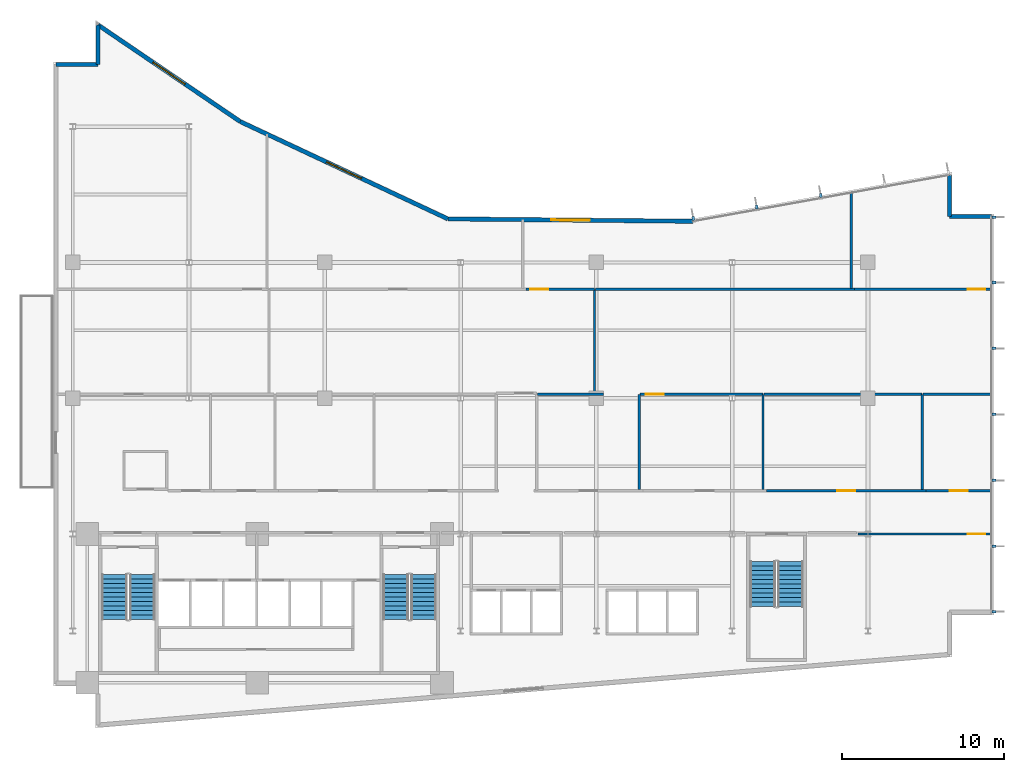
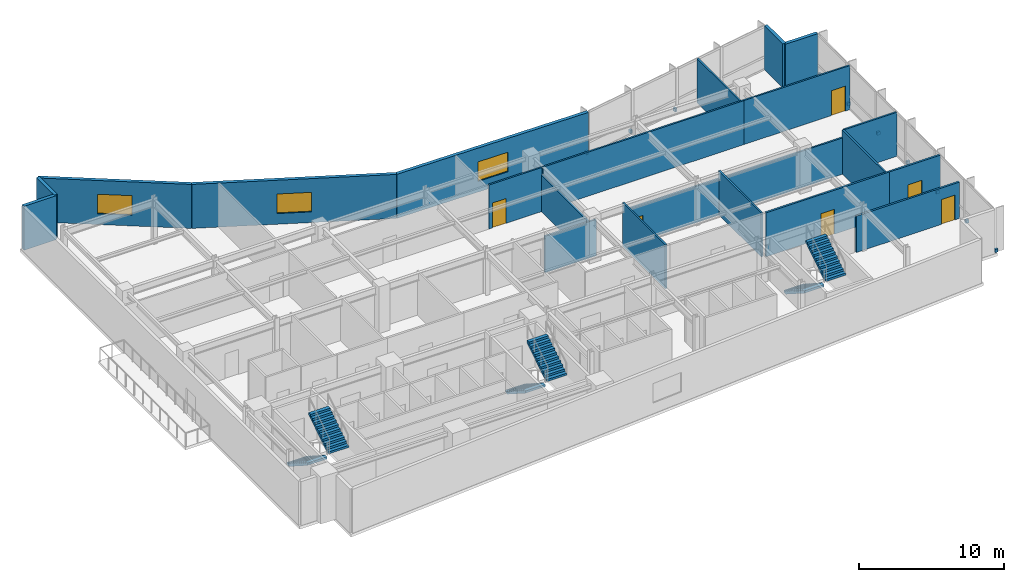
# One storey, part 15 of 20: 22 walls, 10 discrete accessories, 6 doors, 6 stair flights, 3 windows, 9 openings, 3 elements without a shape of their own.
"""IFC4 building model written with IfcOpenShell, lengths in metres."""

from ifc_helpers import new_model, si_unit, direction, frame, frame_2d, origin, origin_2d, place, context, subcontext, project, spatial, polyline, rectangle, outline, extrude, material, layer, layer_set, type_object, element, fill, aggregate, save


model = new_model("IFC4")

# Units and contexts
model_context = context("Model", 3, precision=1e-05, world=origin(), true_north=direction((0.0, 1.0)))
body_context = subcontext(model_context, "Body", "Model", "MODEL_VIEW")
ifc_project = project(units=[si_unit("LENGTHUNIT", "METRE"), si_unit("AREAUNIT", "SQUARE_METRE"), si_unit("VOLUMEUNIT", "CUBIC_METRE"), si_unit("PLANEANGLEUNIT", "RADIAN"), si_unit("MASSUNIT", "GRAM", prefix="KILO")], contexts=[model_context])

# Site, building, storey
site_placement = place(None, origin())
site = spatial("IfcSite", under=ifc_project, at=site_placement, CompositionType="ELEMENT")
building_placement = place(site_placement, origin())
building = spatial("IfcBuilding", under=site, at=building_placement, Name="Varnakote Quay Hospital", CompositionType="ELEMENT")
storey_placement = place(building_placement, frame((0.0, 0.0, 46.199951171875)))
storey = spatial("IfcBuildingStorey", under=building, at=storey_placement, Name="L11", CompositionType="ELEMENT", Elevation=46.199951171875)

# Walls
ifc_material_1 = material(Name="Precast concrete N50 (f'c 50 MPa)", Category="concrete")
ifc_layer_1 = layer(ifc_material_1, 0.260009765625)
ifc_layer_set_1 = layer_set([ifc_layer_1], Name="Precast concrete N50 (f'c 50 MPa)")
wall_type_1 = type_object("IfcWallType", Name="WL-EXT-BRICK-260", PredefinedType="STANDARD", material=ifc_layer_set_1)
wall_1_placement = place(storey_placement, frame((58.0400390625, 31.639892578125, 0.0), z_axis=(0.0, 0.0, 1.0), x_axis=(-1.0, 0.0, 0.0)))
element("IfcWall", 1, at=wall_1_placement, inside=storey, type_object=wall_type_1, Name="L11 Brick-Faced Precast Exterior Wall", PredefinedType="STANDARD", context=body_context, shape_type="SweptSolid", body=[
    extrude(rectangle(XDim=2.60009765625, YDim=0.260009765625, at=frame_2d((1.300048828125, 0.0))), origin(), (0.0, 0.0, 1.0), 3.7099609375),
])
wall_2_placement = place(storey_placement, frame((55.43994140625, 31.639892578125, 0.0), z_axis=(0.0, 0.0, 1.0), x_axis=(0.0, 1.0, 0.0)))
element("IfcWall", 2, at=wall_2_placement, inside=storey, type_object=wall_type_1, Name="L11 Brick-Faced Precast Exterior Wall", PredefinedType="STANDARD", context=body_context, shape_type="SweptSolid", body=[
    extrude(rectangle(XDim=2.568603515625, YDim=0.260009765625, at=frame_2d((1.2841796875, 0.0))), origin(), (0.0, 0.0, 1.0), 3.7099609375),
])

# Wall, opening, window
wall_3_placement = place(storey_placement, frame((39.589599609375, 31.343994140625, 0.0), z_axis=(0.0, 0.0, 1.0), x_axis=(-0.999952362926, 0.009760731435, 0.0)))
wall_3 = element("IfcWall", 3, at=wall_3_placement, inside=storey, type_object=wall_type_1, Name="L11 Brick-Faced Precast Exterior Wall", PredefinedType="STANDARD", context=body_context, shape_type="SweptSolid", body=[
    extrude(rectangle(XDim=15.1826171875, YDim=0.260009765625, at=frame_2d((7.59130859375, 0.0))), origin(), (0.0, 0.0, 1.0), 3.7099609375),
])
opening_1_placement = place(wall_3_placement, frame((6.391357421875, 0.0, 0.89990234375)))
opening_1 = element("IfcOpeningElement", 4, at=opening_1_placement, cuts=wall_3, Name="Opening WN-0059", PredefinedType="OPENING", context=body_context, shape_type="SweptSolid", body=[
    extrude(rectangle(XDim=2.39990234375, YDim=1.64990234375, at=frame_2d((1.199951171875, 0.824951171875))), frame((0.0, 0.139892578125, 0.0), z_axis=(0.0, -1.0, 0.0), x_axis=(1.0, 0.0, 0.0)), (0.0, 0.0, 1.0), 0.280029296875),
])
ifc_material_2 = material(Name="Double-glazed low-E solar glass", Category="glass")
window_type = type_object("IfcWindowType", Name="WIN-CLIN-2400x1650", PartitioningType="SINGLE_PANEL", PredefinedType="WINDOW", material=ifc_material_2)
window_1_placement = place(opening_1_placement, origin())
window_1 = element("IfcWindow", 5, at=window_1_placement, inside=storey, type_object=window_type, Name="L11 Solar-Control Clinical Window", OverallHeight=1.64990234375, OverallWidth=2.39990234375, PartitioningType="SINGLE_PANEL", PredefinedType="WINDOW", context=body_context, shape_type="SweptSolid", body=[
    extrude(rectangle(XDim=2.39990234375, YDim=1.64990234375, at=frame_2d((1.199951171875, 0.824951171875))), frame((0.0, 0.030029296875, 0.0), z_axis=(0.0, -1.0, 0.0), x_axis=(1.0, 0.0, 0.0)), (0.0, 0.0, 1.0), 0.06005859375),
])
fill(opening_1, window_1)

wall_4_placement = place(storey_placement, frame((24.40771484375, 31.4921875, 0.0), z_axis=(0.0, 0.0, 1.0), x_axis=(-0.905396522918, 0.424566998585, 0.0)))
wall_4 = element("IfcWall", 6, at=wall_4_placement, inside=storey, type_object=wall_type_1, Name="L11 Brick-Faced Precast Exterior Wall", PredefinedType="STANDARD", context=body_context, shape_type="SweptSolid", body=[
    extrude(rectangle(XDim=14.189453125, YDim=0.260009765625, at=frame_2d((7.0947265625, 0.0))), origin(), (0.0, 0.0, 1.0), 3.7099609375),
])
opening_2_placement = place(wall_4_placement, frame((5.894775390625, 0.0, 0.89990234375)))
opening_2 = element("IfcOpeningElement", 7, at=opening_2_placement, cuts=wall_4, Name="Opening WN-0060", PredefinedType="OPENING", context=body_context, shape_type="SweptSolid", body=[
    extrude(rectangle(XDim=2.39990234375, YDim=1.64990234375, at=frame_2d((1.199951171875, 0.824951171875))), frame((0.0, 0.139892578125, 0.0), z_axis=(0.0, -1.0, 0.0), x_axis=(1.0, 0.0, 0.0)), (0.0, 0.0, 1.0), 0.280029296875),
])
window_2_placement = place(opening_2_placement, origin())
window_2 = element("IfcWindow", 8, at=window_2_placement, inside=storey, type_object=window_type, Name="L11 Solar-Control Clinical Window", OverallHeight=1.64990234375, OverallWidth=2.39990234375, PartitioningType="SINGLE_PANEL", PredefinedType="WINDOW", context=body_context, shape_type="SweptSolid", body=[
    extrude(rectangle(XDim=2.39990234375, YDim=1.64990234375, at=frame_2d((1.199951171875, 0.824951171875))), frame((0.0, 0.030029296875, 0.0), z_axis=(0.0, -1.0, 0.0), x_axis=(1.0, 0.0, 0.0)), (0.0, 0.0, 1.0), 0.06005859375),
])
fill(opening_2, window_2)

wall_5_placement = place(storey_placement, frame((11.560546875, 37.5166015625, 0.0), z_axis=(0.0, 0.0, 1.0), x_axis=(-0.827064743936, 0.562106670782, 0.0)))
wall_5 = element("IfcWall", 9, at=wall_5_placement, inside=storey, type_object=wall_type_1, Name="L11 Brick-Faced Precast Exterior Wall", PredefinedType="STANDARD", context=body_context, shape_type="SweptSolid", body=[
    extrude(rectangle(XDim=10.640625, YDim=0.260009765625, at=frame_2d((5.3203125, 0.0))), origin(), (0.0, 0.0, 1.0), 3.7099609375),
])
opening_3_placement = place(wall_5_placement, frame((4.120361328125, 0.0, 0.89990234375)))
opening_3 = element("IfcOpeningElement", 10, at=opening_3_placement, cuts=wall_5, Name="Opening WN-0061", PredefinedType="OPENING", context=body_context, shape_type="SweptSolid", body=[
    extrude(rectangle(XDim=2.39990234375, YDim=1.64990234375, at=frame_2d((1.199951171875, 0.824951171875))), frame((0.0, 0.139892578125, 0.0), z_axis=(0.0, -1.0, 0.0), x_axis=(1.0, 0.0, 0.0)), (0.0, 0.0, 1.0), 0.280029296875),
])
window_3_placement = place(opening_3_placement, origin())
window_3 = element("IfcWindow", 11, at=window_3_placement, inside=storey, type_object=window_type, Name="L11 Solar-Control Clinical Window", OverallHeight=1.64990234375, OverallWidth=2.39990234375, PartitioningType="SINGLE_PANEL", PredefinedType="WINDOW", context=body_context, shape_type="SweptSolid", body=[
    extrude(rectangle(XDim=2.39990234375, YDim=1.64990234375, at=frame_2d((1.199951171875, 0.824951171875))), frame((0.0, 0.030029296875, 0.0), z_axis=(0.0, -1.0, 0.0), x_axis=(1.0, 0.0, 0.0)), (0.0, 0.0, 1.0), 0.06005859375),
])
fill(opening_3, window_3)

# Walls
wall_6_placement = place(storey_placement, frame((2.760009765625, 43.497802734375, 0.0), z_axis=(0.0, 0.0, 1.0), x_axis=(0.0, -1.0, 0.0)))
element("IfcWall", 12, at=wall_6_placement, inside=storey, type_object=wall_type_1, Name="L11 Brick-Faced Precast Exterior Wall", PredefinedType="STANDARD", context=body_context, shape_type="SweptSolid", body=[
    extrude(rectangle(XDim=2.457763671875, YDim=0.260009765625, at=frame_2d((1.22900390625, 0.0))), origin(), (0.0, 0.0, 1.0), 3.7099609375),
])
wall_7_placement = place(storey_placement, frame((2.760009765625, 41.0400390625, 0.0), z_axis=(0.0, 0.0, 1.0), x_axis=(-1.0, 0.0, 0.0)))
element("IfcWall", 13, at=wall_7_placement, inside=storey, type_object=wall_type_1, Name="L11 Brick-Faced Precast Exterior Wall", PredefinedType="STANDARD", context=body_context, shape_type="SweptSolid", body=[
    extrude(rectangle(XDim=2.60009765625, YDim=0.260009765625, at=frame_2d((1.300048828125, 0.0))), origin(), (0.0, 0.0, 1.0), 3.7099609375),
])
ifc_material_3 = material(Name="Smoke-proof clinical partition", Category="gypsum")
ifc_layer_2 = layer(ifc_material_3, 0.135009765625)
ifc_layer_set_2 = layer_set([ifc_layer_2], Name="Smoke-proof clinical partition")
wall_type_2 = type_object("IfcWallType", Name="WL-SMOKE-135", PredefinedType="PARTITIONING", material=ifc_layer_set_2)
wall_8_placement = place(storey_placement, frame((36.25, 14.760009765625, 0.0), z_axis=(0.0, 0.0, 1.0), x_axis=(0.0, 1.0, 0.0)))
element("IfcWall", 14, at=wall_8_placement, inside=storey, type_object=wall_type_2, Name="L11 Clinical Interior Partition", PredefinedType="PARTITIONING", context=body_context, shape_type="SweptSolid", body=[
    extrude(rectangle(XDim=5.8798828125, YDim=0.135009765625, at=frame_2d((2.93994140625, 0.0))), origin(), (0.0, 0.0, 1.0), 3.7099609375),
])
wall_9_placement = place(storey_placement, frame((34.050048828125, 20.639892578125, 0.0), z_axis=(0.0, 0.0, 1.0), x_axis=(-1.0, 0.0, 0.0)))
element("IfcWall", 15, at=wall_9_placement, inside=storey, type_object=wall_type_2, Name="L11 Clinical Interior Partition", PredefinedType="PARTITIONING", context=body_context, shape_type="SweptSolid", body=[
    extrude(rectangle(XDim=4.0849609375, YDim=0.135009765625, at=frame_2d((2.04248046875, 0.0))), origin(), (0.0, 0.0, 1.0), 3.072998046875),
])
wall_10_placement = place(storey_placement, frame((43.909912109375, 14.760009765625, 0.0), z_axis=(0.0, 0.0, 1.0), x_axis=(0.0, 1.0, 0.0)))
element("IfcWall", 16, at=wall_10_placement, inside=storey, type_object=wall_type_2, Name="L11 Clinical Interior Partition", PredefinedType="PARTITIONING", context=body_context, shape_type="SweptSolid", body=[
    extrude(rectangle(XDim=5.8798828125, YDim=0.135009765625, at=frame_2d((2.93994140625, 0.0))), origin(), (0.0, 0.0, 1.0), 3.7099609375),
])

# Wall, opening, door
wall_11_placement = place(storey_placement, frame((43.909912109375, 20.639892578125, 0.0), z_axis=(0.0, 0.0, 1.0), x_axis=(-1.0, 0.0, 0.0)))
wall_11 = element("IfcWall", 17, at=wall_11_placement, inside=storey, type_object=wall_type_2, Name="L11 Clinical Interior Partition", PredefinedType="PARTITIONING", context=body_context, shape_type="SweptSolid", body=[
    extrude(rectangle(XDim=7.602294921875, YDim=0.135009765625, at=frame_2d((3.80126953125, 0.0))), origin(), (0.0, 0.0, 1.0), 3.072998046875),
])
opening_4_placement = place(wall_11_placement, frame((6.14990234375, 0.0, 0.0)))
opening_4 = element("IfcOpeningElement", 18, at=opening_4_placement, cuts=wall_11, Name="Opening D-L11-MD10", PredefinedType="OPENING", context=body_context, shape_type="SweptSolid", body=[
    extrude(rectangle(XDim=1.10009765625, YDim=2.10009765625, at=frame_2d((0.550048828125, 1.050048828125))), frame((0.0, 0.077392578125, 0.0), z_axis=(0.0, -1.0, 0.0), x_axis=(1.0, 0.0, 0.0)), (0.0, 0.0, 1.0), 0.155029296875),
])
ifc_material_4 = material(Name="Acoustic timber clinical consult door", Category="wood")
door_type = type_object("IfcDoorType", Name="DR-CLIN-FD30S-1100x2100", OperationType="NOTDEFINED", PredefinedType="DOOR", material=ifc_material_4)
door_1_placement = place(opening_4_placement, origin())
door_1 = element("IfcDoor", 19, at=door_1_placement, inside=storey, type_object=door_type, Name="L11 Endoscopy Infusion Treatment Suite Door", OperationType="SINGLE_SWING_LEFT", OverallHeight=2.10009765625, OverallWidth=1.10009765625, PredefinedType="DOOR", context=body_context, shape_type="SweptSolid", body=[
    extrude(rectangle(XDim=1.10009765625, YDim=2.10009765625, at=frame_2d((0.550048828125, 1.050048828125))), frame((0.0, 0.02490234375, 0.0), z_axis=(0.0, -1.0, 0.0), x_axis=(1.0, 0.0, 0.0)), (0.0, 0.0, 1.0), 0.050048828125),
])
fill(opening_4, door_1)

# Walls
wall_12_placement = place(storey_placement, frame((53.760009765625, 14.760009765625, 0.0), z_axis=(0.0, 0.0, 1.0), x_axis=(0.0, 1.0, 0.0)))
element("IfcWall", 20, at=wall_12_placement, inside=storey, type_object=wall_type_2, Name="L11 Clinical Interior Partition", PredefinedType="PARTITIONING", context=body_context, shape_type="SweptSolid", body=[
    extrude(rectangle(XDim=5.8798828125, YDim=0.135009765625, at=frame_2d((2.93994140625, 0.0))), origin(), (0.0, 0.0, 1.0), 3.7099609375),
])
wall_13_placement = place(storey_placement, frame((53.760009765625, 20.639892578125, 0.0), z_axis=(0.0, 0.0, 1.0), x_axis=(-1.0, 0.0, 0.0)))
element("IfcWall", 21, at=wall_13_placement, inside=storey, type_object=wall_type_2, Name="L11 Clinical Interior Partition", PredefinedType="PARTITIONING", context=body_context, shape_type="SweptSolid", body=[
    extrude(rectangle(XDim=9.79248046875, YDim=0.135009765625, at=frame_2d((4.896240234375, 0.0))), origin(), (0.0, 0.0, 1.0), 3.072998046875),
])
wall_14_placement = place(storey_placement, frame((58.0400390625, 20.639892578125, 0.0), z_axis=(0.0, 0.0, 1.0), x_axis=(-1.0, 0.0, 0.0)))
element("IfcWall", 22, at=wall_14_placement, inside=storey, type_object=wall_type_2, Name="L11 Clinical Interior Partition", PredefinedType="PARTITIONING", context=body_context, shape_type="SweptSolid", body=[
    extrude(rectangle(XDim=4.22265625, YDim=0.135009765625, at=frame_2d((2.111328125, 0.0))), origin(), (0.0, 0.0, 1.0), 3.7099609375),
])
wall_15_placement = place(storey_placement, frame((33.489990234375, 20.697509765625, 0.0), z_axis=(0.0, 0.0, 1.0), x_axis=(0.0, 1.0, 0.0)))
element("IfcWall", 23, at=wall_15_placement, inside=storey, type_object=wall_type_2, Name="L11 Clinical Interior Partition", PredefinedType="PARTITIONING", context=body_context, shape_type="SweptSolid", body=[
    extrude(rectangle(XDim=6.4423828125, YDim=0.135009765625, at=frame_2d((3.22119140625, 0.0))), origin(), (0.0, 0.0, 1.0), 3.072998046875),
])

# Wall, opening, door
wall_16_placement = place(storey_placement, frame((33.489990234375, 27.139892578125, 0.0), z_axis=(0.0, 0.0, 1.0), x_axis=(-1.0, 0.0, 0.0)))
wall_16 = element("IfcWall", 24, at=wall_16_placement, inside=storey, type_object=wall_type_2, Name="L11 Clinical Interior Partition", PredefinedType="PARTITIONING", context=body_context, shape_type="SweptSolid", body=[
    extrude(rectangle(XDim=4.240478515625, YDim=0.135009765625, at=frame_2d((2.1201171875, 0.0))), origin(), (0.0, 0.0, 1.0), 3.7099609375),
])
opening_5_placement = place(wall_16_placement, frame((2.8720703125, 0.0, 0.0)))
opening_5 = element("IfcOpeningElement", 25, at=opening_5_placement, cuts=wall_16, Name="Opening D-L11-MD13", PredefinedType="OPENING", context=body_context, shape_type="SweptSolid", body=[
    extrude(rectangle(XDim=1.10009765625, YDim=2.10009765625, at=frame_2d((0.550048828125, 1.050048828125))), frame((0.0, 0.077392578125, 0.0), z_axis=(0.0, -1.0, 0.0), x_axis=(1.0, 0.0, 0.0)), (0.0, 0.0, 1.0), 0.155029296875),
])
door_2_placement = place(opening_5_placement, origin())
door_2 = element("IfcDoor", 26, at=door_2_placement, inside=storey, type_object=door_type, Name="L11 Day Procedure Treatment Suite Door", OperationType="SINGLE_SWING_RIGHT", OverallHeight=2.10009765625, OverallWidth=1.10009765625, PredefinedType="DOOR", context=body_context, shape_type="SweptSolid", body=[
    extrude(rectangle(XDim=1.10009765625, YDim=2.10009765625, at=frame_2d((0.550048828125, 1.050048828125))), frame((0.0, 0.02490234375, 0.0), z_axis=(0.0, -1.0, 0.0), x_axis=(1.0, 0.0, 0.0)), (0.0, 0.0, 1.0), 0.050048828125),
])
fill(opening_5, door_2)

# Wall
wall_17_placement = place(storey_placement, frame((49.577392578125, 27.139892578125, 0.0), z_axis=(0.0, 0.0, 1.0), x_axis=(-1.0, 0.0, 0.0)))
element("IfcWall", 27, at=wall_17_placement, inside=storey, type_object=wall_type_2, Name="L11 Clinical Interior Partition", PredefinedType="PARTITIONING", context=body_context, shape_type="SweptSolid", body=[
    extrude(rectangle(XDim=16.02978515625, YDim=0.135009765625, at=frame_2d((8.014892578125, 0.0))), origin(), (0.0, 0.0, 1.0), 3.7099609375),
])

# Wall, opening, door
wall_18_placement = place(storey_placement, frame((58.0400390625, 27.139892578125, 0.0), z_axis=(0.0, 0.0, 1.0), x_axis=(-1.0, 0.0, 0.0)))
wall_18 = element("IfcWall", 28, at=wall_18_placement, inside=storey, type_object=wall_type_2, Name="L11 Clinical Interior Partition", PredefinedType="PARTITIONING", context=body_context, shape_type="SweptSolid", body=[
    extrude(rectangle(XDim=8.46044921875, YDim=0.135009765625, at=frame_2d((4.230224609375, 0.0))), origin(), (0.0, 0.0, 1.0), 3.7099609375),
])
opening_6_placement = place(wall_18_placement, frame((0.3740234375, 0.0, 0.0)))
opening_6 = element("IfcOpeningElement", 29, at=opening_6_placement, cuts=wall_18, Name="Opening D-L11-MD14", PredefinedType="OPENING", context=body_context, shape_type="SweptSolid", body=[
    extrude(rectangle(XDim=1.10009765625, YDim=2.10009765625, at=frame_2d((0.550048828125, 1.050048828125))), frame((0.0, 0.077392578125, 0.0), z_axis=(0.0, -1.0, 0.0), x_axis=(1.0, 0.0, 0.0)), (0.0, 0.0, 1.0), 0.155029296875),
])
door_3_placement = place(opening_6_placement, origin())
door_3 = element("IfcDoor", 30, at=door_3_placement, inside=storey, type_object=door_type, Name="L11 Endoscopy Infusion Treatment Suite Door", OperationType="SINGLE_SWING_LEFT", OverallHeight=2.10009765625, OverallWidth=1.10009765625, PredefinedType="DOOR", context=body_context, shape_type="SweptSolid", body=[
    extrude(rectangle(XDim=1.10009765625, YDim=2.10009765625, at=frame_2d((0.550048828125, 1.050048828125))), frame((0.0, 0.02490234375, 0.0), z_axis=(0.0, -1.0, 0.0), x_axis=(1.0, 0.0, 0.0)), (0.0, 0.0, 1.0), 0.050048828125),
])
fill(opening_6, door_3)

# Wall
wall_19_placement = place(storey_placement, frame((49.3701171875, 27.197509765625, 0.0), z_axis=(0.0, 0.0, 1.0), x_axis=(0.0, 1.0, 0.0)))
element("IfcWall", 31, at=wall_19_placement, inside=storey, type_object=wall_type_2, Name="L11 Clinical Interior Partition", PredefinedType="PARTITIONING", context=body_context, shape_type="SweptSolid", body=[
    extrude(rectangle(XDim=5.9140625, YDim=0.135009765625, at=frame_2d((2.95703125, 0.0))), origin(), (0.0, 0.0, 1.0), 3.7099609375),
])

# Wall, opening, door
ifc_material_5 = material(Name="Fire-rated clinical gypsum partition", Category="gypsum")
ifc_layer_3 = layer(ifc_material_5, 0.14990234375)
ifc_layer_set_3 = layer_set([ifc_layer_3], Name="Fire-rated clinical gypsum partition")
wall_type_3 = type_object("IfcWallType", Name="WL-WARD-150", PredefinedType="PARTITIONING", material=ifc_layer_set_3)
wall_20_placement = place(storey_placement, frame((58.0400390625, 12.0, 0.0), z_axis=(0.0, 0.0, 1.0), x_axis=(-1.0, 0.0, 0.0)))
wall_20 = element("IfcWall", 32, at=wall_20_placement, inside=storey, type_object=wall_type_3, Name="L11 Clinical Interior Partition", PredefinedType="PARTITIONING", context=body_context, shape_type="SweptSolid", body=[
    extrude(rectangle(XDim=8.239990234375, YDim=0.14990234375, at=frame_2d((4.1201171875, 0.0))), origin(), (0.0, 0.0, 1.0), 3.072998046875),
])
opening_7_placement = place(wall_20_placement, frame((0.368408203125, 0.0, 0.0)))
opening_7 = element("IfcOpeningElement", 33, at=opening_7_placement, cuts=wall_20, Name="Opening D-L11-SE1", PredefinedType="OPENING", context=body_context, shape_type="SweptSolid", body=[
    extrude(rectangle(XDim=1.10009765625, YDim=2.10009765625, at=frame_2d((0.550048828125, 1.050048828125))), frame((0.0, 0.0849609375, 0.0), z_axis=(0.0, -1.0, 0.0), x_axis=(1.0, 0.0, 0.0)), (0.0, 0.0, 1.0), 0.169921875),
])
door_4_placement = place(opening_7_placement, origin())
door_4 = element("IfcDoor", 34, at=door_4_placement, inside=storey, type_object=door_type, Name="L11 Clinical Biomedical Engineering Office Door", OperationType="SINGLE_SWING_RIGHT", OverallHeight=2.10009765625, OverallWidth=1.10009765625, PredefinedType="DOOR", context=body_context, shape_type="SweptSolid", body=[
    extrude(rectangle(XDim=1.10009765625, YDim=2.10009765625, at=frame_2d((0.550048828125, 1.050048828125))), frame((0.0, 0.02490234375, 0.0), z_axis=(0.0, -1.0, 0.0), x_axis=(1.0, 0.0, 0.0)), (0.0, 0.0, 1.0), 0.050048828125),
])
fill(opening_7, door_4)

wall_21_placement = place(storey_placement, frame((53.986083984375, 14.679931640625, 0.0), z_axis=(0.0, 0.0, 1.0), x_axis=(-1.0, 0.0, 0.0)))
wall_21 = element("IfcWall", 35, at=wall_21_placement, inside=storey, type_object=wall_type_3, Name="L11 Clinical Interior Partition", PredefinedType="PARTITIONING", context=body_context, shape_type="SweptSolid", body=[
    extrude(rectangle(XDim=9.84814453125, YDim=0.14990234375, at=frame_2d((4.924072265625, 0.0))), origin(), (0.0, 0.0, 1.0), 3.7099609375),
])
opening_8_placement = place(wall_21_placement, frame((4.3740234375, 0.0, 0.0)))
opening_8 = element("IfcOpeningElement", 36, at=opening_8_placement, cuts=wall_21, Name="Opening D-L11-MD06", PredefinedType="OPENING", context=body_context, shape_type="SweptSolid", body=[
    extrude(rectangle(XDim=1.10009765625, YDim=2.10009765625, at=frame_2d((0.550048828125, 1.050048828125))), frame((0.0, 0.0849609375, 0.0), z_axis=(0.0, -1.0, 0.0), x_axis=(1.0, 0.0, 0.0)), (0.0, 0.0, 1.0), 0.169921875),
])
door_5_placement = place(opening_8_placement, origin())
door_5 = element("IfcDoor", 37, at=door_5_placement, inside=storey, type_object=door_type, Name="L11 Endoscopy Infusion Treatment Suite Door", OperationType="SINGLE_SWING_LEFT", OverallHeight=2.10009765625, OverallWidth=1.10009765625, PredefinedType="DOOR", context=body_context, shape_type="SweptSolid", body=[
    extrude(rectangle(XDim=1.10009765625, YDim=2.10009765625, at=frame_2d((0.550048828125, 1.050048828125))), frame((0.0, 0.02490234375, 0.0), z_axis=(0.0, -1.0, 0.0), x_axis=(1.0, 0.0, 0.0)), (0.0, 0.0, 1.0), 0.050048828125),
])
fill(opening_8, door_5)

wall_22_placement = place(storey_placement, frame((58.0400390625, 14.679931640625, 0.0), z_axis=(0.0, 0.0, 1.0), x_axis=(-1.0, 0.0, 0.0)))
wall_22 = element("IfcWall", 38, at=wall_22_placement, inside=storey, type_object=wall_type_3, Name="L11 Clinical Interior Partition", PredefinedType="PARTITIONING", context=body_context, shape_type="SweptSolid", body=[
    extrude(rectangle(XDim=4.052001953125, YDim=0.14990234375, at=frame_2d((2.02587890625, 0.0))), origin(), (0.0, 0.0, 1.0), 3.7099609375),
])
opening_9_placement = place(wall_22_placement, frame((1.47607421875, 0.0, 0.0)))
opening_9 = element("IfcOpeningElement", 39, at=opening_9_placement, cuts=wall_22, Name="Opening D-L11-MD07", PredefinedType="OPENING", context=body_context, shape_type="SweptSolid", body=[
    extrude(rectangle(XDim=1.10009765625, YDim=2.10009765625, at=frame_2d((0.550048828125, 1.050048828125))), frame((0.0, 0.0849609375, 0.0), z_axis=(0.0, -1.0, 0.0), x_axis=(1.0, 0.0, 0.0)), (0.0, 0.0, 1.0), 0.169921875),
])
door_6_placement = place(opening_9_placement, origin())
door_6 = element("IfcDoor", 40, at=door_6_placement, inside=storey, type_object=door_type, Name="L11 Clinical Pharmacy Preparation Pantry Door", OperationType="SINGLE_SWING_RIGHT", OverallHeight=2.10009765625, OverallWidth=1.10009765625, PredefinedType="DOOR", context=body_context, shape_type="SweptSolid", body=[
    extrude(rectangle(XDim=1.10009765625, YDim=2.10009765625, at=frame_2d((0.550048828125, 1.050048828125))), frame((0.0, 0.02490234375, 0.0), z_axis=(0.0, -1.0, 0.0), x_axis=(1.0, 0.0, 0.0)), (0.0, 0.0, 1.0), 0.050048828125),
])
fill(opening_9, door_6)

# Stair, stair flights
ifc_material_6 = material(Name="Concrete N40 (f'c 40 MPa)", Category="concrete")
stair_type = type_object("IfcStairType", Name="STR-CORE-1580", PredefinedType="HALF_TURN_STAIR", material=ifc_material_6)
stair_1_placement = place(storey_placement, origin())
stair_1 = element("IfcStair", 41, at=stair_1_placement, inside=storey, type_object=stair_type, Name="L11 Fire-Isolated Exit Stair ST-01", PredefinedType="HALF_TURN_STAIR")
ifc_material_7 = material(Name="Concrete N40 (f'c 40 MPa)", Category="concrete")
ifc_layer_4 = layer(ifc_material_7, 0.159912109375)
ifc_layer_set_4 = layer_set([ifc_layer_4], Name="Concrete N40 (f'c 40 MPa)")
stair_flight_type = type_object("IfcStairFlightType", Name="FLT-CORE-1580", PredefinedType="STRAIGHT", material=ifc_layer_set_4)
stair_flight_1_placement = place(storey_placement, frame((3.7900390625, 9.5, 0.0), z_axis=(0.0, 0.0, 1.0), x_axis=(0.0, -1.0, 0.0)))
stair_flight_1 = element("IfcStairFlight", 42, at=stair_flight_1_placement, type_object=stair_flight_type, Name="ST-01 flight 1", NumberOfRisers=11, NumberOfTreads=10, PredefinedType="STRAIGHT", RiserHeight=0.179545455, TreadLength=0.28, context=body_context, shape_type="SweptSolid", body=[
    extrude(outline(polyline([(0.0, 0.0), (0.0, 0.179443359375), (0.280029296875, 0.179443359375), (0.280029296875, 0.359130859375), (0.56005859375, 0.359130859375), (0.56005859375, 0.53857421875), (0.840087890625, 0.53857421875), (0.840087890625, 0.71826171875), (1.1201171875, 0.71826171875), (1.1201171875, 0.897705078125), (1.39990234375, 0.897705078125), (1.39990234375, 1.077392578125), (1.679931640625, 1.077392578125), (1.679931640625, 1.2568359375), (1.9599609375, 1.2568359375), (1.9599609375, 1.436279296875), (2.239990234375, 1.436279296875), (2.239990234375, 1.615966796875), (2.52001953125, 1.615966796875), (2.52001953125, 1.79541015625), (2.800048828125, 1.79541015625), (2.800048828125, 1.97509765625), (2.800048828125, 1.60546875), (0.296142578125, 0.0), (0.0, 0.0)])), frame((0.0, 0.7900390625, 0.0), z_axis=(0.0, -1.0, 0.0), x_axis=(1.0, 0.0, 0.0)), (0.0, 0.0, 1.0), 1.580078125),
])
stair_flight_2_placement = place(storey_placement, frame((5.510009765625, 6.699951171875, 1.97509765625), z_axis=(0.0, 0.0, 1.0), x_axis=(0.0, 1.0, 0.0)))
stair_flight_2 = element("IfcStairFlight", 43, at=stair_flight_2_placement, type_object=stair_flight_type, Name="ST-01 flight 2", NumberOfRisers=11, NumberOfTreads=10, PredefinedType="STRAIGHT", RiserHeight=0.179545455, TreadLength=0.28, context=body_context, shape_type="SweptSolid", body=[
    extrude(outline(polyline([(0.0, 0.0), (0.0, 0.179443359375), (0.280029296875, 0.179443359375), (0.280029296875, 0.359130859375), (0.56005859375, 0.359130859375), (0.56005859375, 0.53857421875), (0.840087890625, 0.53857421875), (0.840087890625, 0.71826171875), (1.1201171875, 0.71826171875), (1.1201171875, 0.897705078125), (1.39990234375, 0.897705078125), (1.39990234375, 1.077392578125), (1.679931640625, 1.077392578125), (1.679931640625, 1.2568359375), (1.9599609375, 1.2568359375), (1.9599609375, 1.436279296875), (2.239990234375, 1.436279296875), (2.239990234375, 1.615966796875), (2.52001953125, 1.615966796875), (2.52001953125, 1.79541015625), (2.800048828125, 1.79541015625), (2.800048828125, 1.97509765625), (2.800048828125, 1.60546875), (0.296142578125, 0.0), (0.0, 0.0)])), frame((0.0, 0.7900390625, 0.0), z_axis=(0.0, -1.0, 0.0), x_axis=(1.0, 0.0, 0.0)), (0.0, 0.0, 1.0), 1.580078125),
])
aggregate(stair_1, [stair_flight_1, stair_flight_2])

stair_2_placement = place(storey_placement, origin())
stair_2 = element("IfcStair", 44, at=stair_2_placement, inside=storey, type_object=stair_type, Name="L11 Fire-Isolated Exit Stair ST-02", PredefinedType="HALF_TURN_STAIR")
stair_flight_3_placement = place(storey_placement, frame((21.18994140625, 9.5, 0.0), z_axis=(0.0, 0.0, 1.0), x_axis=(0.0, -1.0, 0.0)))
stair_flight_3 = element("IfcStairFlight", 45, at=stair_flight_3_placement, type_object=stair_flight_type, Name="ST-02 flight 1", NumberOfRisers=11, NumberOfTreads=10, PredefinedType="STRAIGHT", RiserHeight=0.179545455, TreadLength=0.28, context=body_context, shape_type="SweptSolid", body=[
    extrude(outline(polyline([(0.0, 0.0), (0.0, 0.179443359375), (0.280029296875, 0.179443359375), (0.280029296875, 0.359130859375), (0.56005859375, 0.359130859375), (0.56005859375, 0.53857421875), (0.840087890625, 0.53857421875), (0.840087890625, 0.71826171875), (1.1201171875, 0.71826171875), (1.1201171875, 0.897705078125), (1.39990234375, 0.897705078125), (1.39990234375, 1.077392578125), (1.679931640625, 1.077392578125), (1.679931640625, 1.2568359375), (1.9599609375, 1.2568359375), (1.9599609375, 1.436279296875), (2.239990234375, 1.436279296875), (2.239990234375, 1.615966796875), (2.52001953125, 1.615966796875), (2.52001953125, 1.79541015625), (2.800048828125, 1.79541015625), (2.800048828125, 1.97509765625), (2.800048828125, 1.60546875), (0.296142578125, 0.0), (0.0, 0.0)])), frame((0.0, 0.7900390625, 0.0), z_axis=(0.0, -1.0, 0.0), x_axis=(1.0, 0.0, 0.0)), (0.0, 0.0, 1.0), 1.580078125),
])
stair_flight_4_placement = place(storey_placement, frame((22.909912109375, 6.699951171875, 1.97509765625), z_axis=(0.0, 0.0, 1.0), x_axis=(0.0, 1.0, 0.0)))
stair_flight_4 = element("IfcStairFlight", 46, at=stair_flight_4_placement, type_object=stair_flight_type, Name="ST-02 flight 2", NumberOfRisers=11, NumberOfTreads=10, PredefinedType="STRAIGHT", RiserHeight=0.179545455, TreadLength=0.28, context=body_context, shape_type="SweptSolid", body=[
    extrude(outline(polyline([(0.0, 0.0), (0.0, 0.179443359375), (0.280029296875, 0.179443359375), (0.280029296875, 0.359130859375), (0.56005859375, 0.359130859375), (0.56005859375, 0.53857421875), (0.840087890625, 0.53857421875), (0.840087890625, 0.71826171875), (1.1201171875, 0.71826171875), (1.1201171875, 0.897705078125), (1.39990234375, 0.897705078125), (1.39990234375, 1.077392578125), (1.679931640625, 1.077392578125), (1.679931640625, 1.2568359375), (1.9599609375, 1.2568359375), (1.9599609375, 1.436279296875), (2.239990234375, 1.436279296875), (2.239990234375, 1.615966796875), (2.52001953125, 1.615966796875), (2.52001953125, 1.79541015625), (2.800048828125, 1.79541015625), (2.800048828125, 1.97509765625), (2.800048828125, 1.60546875), (0.296142578125, 0.0), (0.0, 0.0)])), frame((0.0, 0.7900390625, 0.0), z_axis=(0.0, -1.0, 0.0), x_axis=(1.0, 0.0, 0.0)), (0.0, 0.0, 1.0), 1.580078125),
])
aggregate(stair_2, [stair_flight_3, stair_flight_4])

stair_3_placement = place(storey_placement, origin())
stair_3 = element("IfcStair", 47, at=stair_3_placement, inside=storey, type_object=stair_type, Name="L11 Fire-Isolated Exit Stair ST-03", PredefinedType="HALF_TURN_STAIR")
stair_flight_5_placement = place(storey_placement, frame((43.889892578125, 10.300048828125, 0.0), z_axis=(0.0, 0.0, 1.0), x_axis=(0.0, -1.0, 0.0)))
stair_flight_5 = element("IfcStairFlight", 48, at=stair_flight_5_placement, type_object=stair_flight_type, Name="ST-03 flight 1", NumberOfRisers=11, NumberOfTreads=10, PredefinedType="STRAIGHT", RiserHeight=0.179545455, TreadLength=0.28, context=body_context, shape_type="SweptSolid", body=[
    extrude(outline(polyline([(0.0, 0.0), (0.0, 0.179443359375), (0.280029296875, 0.179443359375), (0.280029296875, 0.359130859375), (0.56005859375, 0.359130859375), (0.56005859375, 0.53857421875), (0.840087890625, 0.53857421875), (0.840087890625, 0.71826171875), (1.1201171875, 0.71826171875), (1.1201171875, 0.897705078125), (1.39990234375, 0.897705078125), (1.39990234375, 1.077392578125), (1.679931640625, 1.077392578125), (1.679931640625, 1.2568359375), (1.9599609375, 1.2568359375), (1.9599609375, 1.436279296875), (2.239990234375, 1.436279296875), (2.239990234375, 1.615966796875), (2.52001953125, 1.615966796875), (2.52001953125, 1.79541015625), (2.800048828125, 1.79541015625), (2.800048828125, 1.97509765625), (2.800048828125, 1.60546875), (0.296142578125, 0.0), (0.0, 0.0)])), frame((0.0, 0.7900390625, 0.0), z_axis=(0.0, -1.0, 0.0), x_axis=(1.0, 0.0, 0.0)), (0.0, 0.0, 1.0), 1.580078125),
])
stair_flight_6_placement = place(storey_placement, frame((45.610107421875, 7.5, 1.97509765625), z_axis=(0.0, 0.0, 1.0), x_axis=(0.0, 1.0, 0.0)))
stair_flight_6 = element("IfcStairFlight", 49, at=stair_flight_6_placement, type_object=stair_flight_type, Name="ST-03 flight 2", NumberOfRisers=11, NumberOfTreads=10, PredefinedType="STRAIGHT", RiserHeight=0.179545455, TreadLength=0.28, context=body_context, shape_type="SweptSolid", body=[
    extrude(outline(polyline([(0.0, 0.0), (0.0, 0.179443359375), (0.280029296875, 0.179443359375), (0.280029296875, 0.359130859375), (0.56005859375, 0.359130859375), (0.56005859375, 0.53857421875), (0.840087890625, 0.53857421875), (0.840087890625, 0.71826171875), (1.1201171875, 0.71826171875), (1.1201171875, 0.897705078125), (1.39990234375, 0.897705078125), (1.39990234375, 1.077392578125), (1.679931640625, 1.077392578125), (1.679931640625, 1.2568359375), (1.9599609375, 1.2568359375), (1.9599609375, 1.436279296875), (2.239990234375, 1.436279296875), (2.239990234375, 1.615966796875), (2.52001953125, 1.615966796875), (2.52001953125, 1.79541015625), (2.800048828125, 1.79541015625), (2.800048828125, 1.97509765625), (2.800048828125, 1.60546875), (0.296142578125, 0.0), (0.0, 0.0)])), frame((0.0, 0.7900390625, 0.0), z_axis=(0.0, -1.0, 0.0), x_axis=(1.0, 0.0, 0.0)), (0.0, 0.0, 1.0), 1.580078125),
])
aggregate(stair_3, [stair_flight_5, stair_flight_6])

# Discrete accessories
ifc_material_8 = material(Name="Anodised aluminium 6063-T6 Bronze", Category="aluminium")
discrete_accessory_type = type_object("IfcDiscreteAccessoryType", Name="ACC-FIN-BRACKET-180", PredefinedType="BRACKET", material=ifc_material_8)
for number, where, z_axis, x_axis, name in (
    (50, (58.2099609375, 7.197509765625, 0.0), (0.0, 0.0, 1.0), (0.0, 1.0, 0.0), "L11 Curtain Wall Fin Fixing Bracket"),
    (51, (58.2099609375, 11.239990234375, 0.0), (0.0, 0.0, 1.0), (0.0, 1.0, 0.0), "L11 Curtain Wall Fin Fixing Bracket"),
    (52, (58.2099609375, 15.320068359375, 0.0), (0.0, 0.0, 1.0), (0.0, 1.0, 0.0), "L11 Curtain Wall Fin Fixing Bracket"),
    (53, (58.2099609375, 19.39990234375, 0.0), (0.0, 0.0, 1.0), (0.0, 1.0, 0.0), "L11 Curtain Wall Fin Fixing Bracket"),
    (54, (58.2099609375, 23.47998046875, 0.0), (0.0, 0.0, 1.0), (0.0, 1.0, 0.0), "L11 Curtain Wall Fin Fixing Bracket"),
    (55, (58.2099609375, 27.56005859375, 0.0), (0.0, 0.0, 1.0), (0.0, 1.0, 0.0), "L11 Curtain Wall Fin Fixing Bracket"),
    (56, (58.2099609375, 31.6025390625, 0.0), (0.0, 0.0, 1.0), (0.0, 1.0, 0.0), "L11 Curtain Wall Fin Fixing Bracket"),
    (57, (47.484619140625, 32.943603515625, 0.0), (0.0, 0.0, 1.0), (-0.984071739666, -0.177771795263, 0.0), "L11 Curtain Wall Fin Fixing Bracket"),
    (58, (43.52197265625, 32.227294921875, 0.0), (0.0, 0.0, 1.0), (-0.984071739666, -0.177771795263, 0.0), "L11 Curtain Wall Fin Fixing Bracket"),
    (59, (39.59619140625, 31.517822265625, 0.0), (0.0, 0.0, 1.0), (-0.984071739666, -0.177771795263, 0.0), "L11 Curtain Wall Fin Fixing Bracket"),
):
    element("IfcDiscreteAccessory", number, at=place(storey_placement, frame(where, z_axis=z_axis, x_axis=x_axis)), inside=storey, type_object=discrete_accessory_type, Name=name, PredefinedType="BRACKET", context=body_context, shape_type="SweptSolid", body=[
        extrude(rectangle(XDim=0.159912109375, YDim=0.239990234375, at=origin_2d()), origin(), (0.0, 0.0, 1.0), 0.280029296875),
    ])

save(model, "model.ifc")
